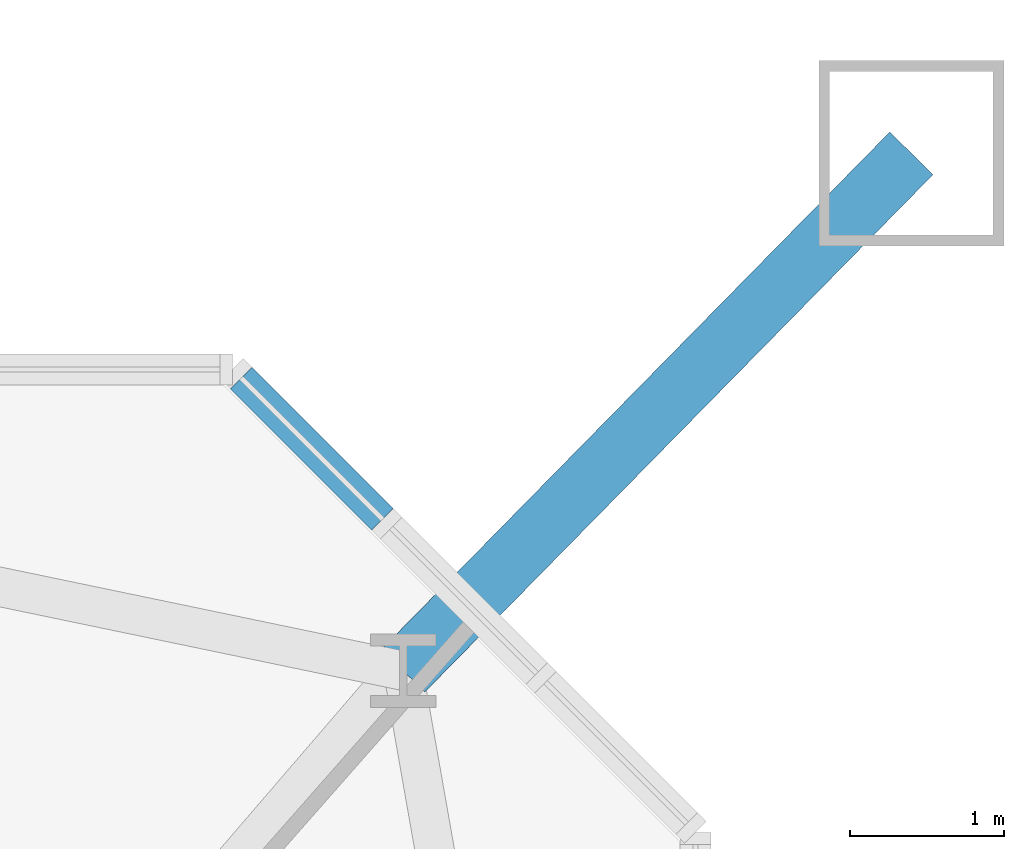
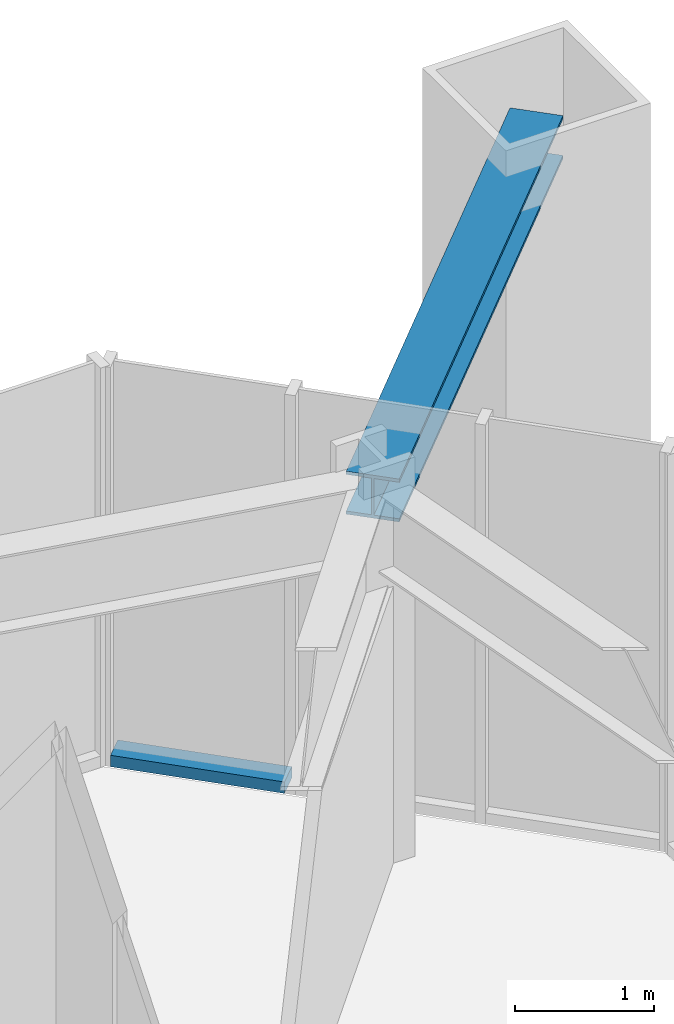
# One storey, part 11 of 26: 2 members, 1 element without a shape of its own.
"""IFC4 building model written with IfcOpenShell, lengths in metres."""

import ifcopenshell
import ifcopenshell.guid

model = None  # the IFC model being written
_history = None  # IfcOwnerHistory: only IFC2X3 demands one
_inside = {}  # id of a spatial element -> (the spatial element, [elements in it])
_under = {}  # id of a project, library or spatial element -> (it, [spatial elements below it])
_declared = {}  # id of a project -> (the project, [libraries it declares])
_typed = {}  # id of a type object -> (the type object, [elements of that type])
_made_of = {}  # id of a material, layer set ... -> (it, [elements and type objects made of it])


def new_model(schema):
    """Start an empty IFC model of exactly this schema.

    Asked for "IFC4X3", IfcOpenShell would pick the latest addendum, in which some entities
    have other attributes; the version numbers below select the first issue.
    IFC2X3 requires an IfcOwnerHistory on every rooted entity: one is made here for all.
    """
    global model, _history
    if schema == "IFC4X3":
        model = ifcopenshell.file(schema_version=(4, 3, 0, 0))
    else:
        model = ifcopenshell.file(schema=schema)
    _inside.clear()
    _under.clear()
    _declared.clear()
    _typed.clear()
    _made_of.clear()
    _history = None
    if model.schema == "IFC2X3":
        org = make("IfcOrganization", Name="unknown")
        user = make(
            "IfcPersonAndOrganization",
            ThePerson=make("IfcPerson", FamilyName="unknown"),
            TheOrganization=org,
        )
        app = make(
            "IfcApplication",
            ApplicationDeveloper=org,
            Version="unknown",
            ApplicationFullName="unknown",
            ApplicationIdentifier="unknown",
        )
        _history = make(
            "IfcOwnerHistory",
            OwningUser=user,
            OwningApplication=app,
            ChangeAction="ADDED",
            CreationDate=0,
        )
    return model


def make(cls, **values):
    """One entity of the class cls with the attributes given. An attribute that is None is left unset."""
    return model.create_entity(
        cls, **{name: value for name, value in values.items() if value is not None}
    )


def rooted(cls, **values):
    """An entity with a GlobalId (a new one), such as an element, a storey or a relation."""
    return make(cls, GlobalId=ifcopenshell.guid.new(), OwnerHistory=_history, **values)


def si_unit(unit_type, name, prefix=None):
    """IfcSIUnit, for example si_unit("LENGTHUNIT", "METRE", prefix="MILLI")."""
    return make("IfcSIUnit", UnitType=unit_type, Prefix=prefix, Name=name)


def assignment(units):
    """IfcUnitAssignment: the units of a project."""
    return None if units is None else make("IfcUnitAssignment", Units=units)


def point(xyz):
    """IfcCartesianPoint."""
    return None if xyz is None else make("IfcCartesianPoint", Coordinates=xyz)


def direction(xyz):
    """IfcDirection."""
    return None if xyz is None else make("IfcDirection", DirectionRatios=xyz)


def frame(location, z_axis=None, x_axis=None):
    """IfcAxis2Placement3D, a coordinate frame: its origin and axes. An axis left out is left unset."""
    return make(
        "IfcAxis2Placement3D",
        Location=point(location),
        Axis=direction(z_axis),
        RefDirection=direction(x_axis),
    )


def frame_2d(location, x_axis=None):
    """IfcAxis2Placement2D, a coordinate frame in the plane: its origin and x axis."""
    return make(
        "IfcAxis2Placement2D", Location=point(location), RefDirection=direction(x_axis)
    )


def origin():
    """The frame at (0, 0, 0) with its axes left unset."""
    return frame((0.0, 0.0, 0.0))


def origin_2d():
    """The frame at (0, 0) in the plane with its x axis left unset."""
    return frame_2d((0.0, 0.0))


def place(relative_to, where):
    """IfcLocalPlacement: puts the frame where relative to a parent placement (None: the world)."""
    return make(
        "IfcLocalPlacement", PlacementRelTo=relative_to, RelativePlacement=where
    )


def context(
    kind, dimensions, precision=None, world=None, true_north=None, identifier=None
):
    """IfcGeometricRepresentationContext, for example the 3D "Model" context."""
    return make(
        "IfcGeometricRepresentationContext",
        ContextIdentifier=identifier,
        ContextType=kind,
        CoordinateSpaceDimension=dimensions,
        Precision=precision,
        WorldCoordinateSystem=world,
        TrueNorth=true_north,
    )


def subcontext(parent, identifier, kind, view, scale=None):
    """IfcGeometricRepresentationSubContext, for example "Body" below "Model"."""
    return make(
        "IfcGeometricRepresentationSubContext",
        ContextIdentifier=identifier,
        ContextType=kind,
        ParentContext=parent,
        TargetScale=scale,
        TargetView=view,
    )


def project(units=None, contexts=None):
    """IfcProject with its units and contexts."""
    return rooted(
        "IfcProject",
        Name="project",
        RepresentationContexts=contexts,
        UnitsInContext=assignment(units),
    )


def spatial(cls, under=None, at=None, **own):
    """A site, building, storey or space (cls), placed at a placement, below another one or the project."""
    s = rooted(cls, ObjectPlacement=at, **own)
    if under is not None:
        _under.setdefault(under.id(), (under, []))[1].append(s)
    return s


def profile(cls, at=None, kind="AREA", **sizes):
    """A parametric profile (cls). Its sizes go by their IFC names, for example OverallWidth=200.0."""
    return make(cls, ProfileType=kind, Position=at, **sizes)


def rectangle(**sizes):
    """IfcRectangleProfileDef."""
    return profile("IfcRectangleProfileDef", **sizes)


def i_section(**sizes):
    """IfcIShapeProfileDef."""
    return profile("IfcIShapeProfileDef", **sizes)


def extrude(swept, where, along, depth):
    """IfcExtrudedAreaSolid: the profile swept, set in the frame where, extruded along a direction by depth."""
    return make(
        "IfcExtrudedAreaSolid",
        SweptArea=swept,
        Position=where,
        ExtrudedDirection=direction(along),
        Depth=depth,
    )


def shape(context_of_items, identifier, shape_type, items):
    """IfcShapeRepresentation: the items that make up one representation, for example the "Body"."""
    return make(
        "IfcShapeRepresentation",
        ContextOfItems=context_of_items,
        RepresentationIdentifier=identifier,
        RepresentationType=shape_type,
        Items=items,
    )


def material(Name=None, Category=None):
    """IfcMaterial."""
    return make("IfcMaterial", Name=Name, Category=Category)


def material_profile(
    of_material, cross_section, Name=None, Category=None, Priority=None
):
    """IfcMaterialProfile: a cross section and its material."""
    return make(
        "IfcMaterialProfile",
        Name=Name,
        Material=of_material,
        Profile=cross_section,
        Priority=Priority,
        Category=Category,
    )


def profile_set(profiles, Name=None, composite=None):
    """IfcMaterialProfileSet."""
    return make(
        "IfcMaterialProfileSet",
        Name=Name,
        MaterialProfiles=profiles,
        CompositeProfile=composite,
    )


def made_of(thing, what):
    """Note that an element or type object is made of a material, layer set ...; save() writes the relation."""
    if what is not None:
        _made_of.setdefault(what.id(), (what, []))[1].append(thing)
    return thing


def type_object(cls, material=None, **own):
    """A type object (cls), such as IfcWallType, which elements share."""
    return made_of(rooted(cls, **own), material)


def element(
    cls,
    number,
    at=None,
    inside=None,
    cuts=None,
    type_object=None,
    material=None,
    context=None,
    identifier="Body",
    shape_type=None,
    held_by="IfcProductDefinitionShape",
    body=None,
    shapes=None,
    **own,
):
    """One element of the class cls, such as IfcWall. Its Tag is "e" and its number.

    at: its placement. inside: the storey or other place that contains it. cuts: it is an
    opening in that element (IfcRelVoidsElement). A single representation is given by context,
    identifier, shape_type and body (its items); several are given by shapes. held_by: the class
    of the entity that holds the representations. save() writes the other relations.
    """
    e = rooted(cls, Tag="e%d" % number, ObjectPlacement=at, **own)
    if body is not None:
        shapes = [shape(context, identifier, shape_type, body)]
    if shapes is not None:
        e.Representation = make(held_by, Representations=shapes)
    if inside is not None:
        _inside.setdefault(inside.id(), (inside, []))[1].append(e)
    if cuts is not None:
        rooted(
            "IfcRelVoidsElement", RelatingBuildingElement=cuts, RelatedOpeningElement=e
        )
    if type_object is not None:
        _typed.setdefault(type_object.id(), (type_object, []))[1].append(e)
    return made_of(e, material)


def aggregate(whole, parts):
    """IfcRelAggregates: a whole, such as a stair, and the parts it consists of."""
    return rooted("IfcRelAggregates", RelatingObject=whole, RelatedObjects=parts)


def save(model, path):
    """Write the relations noted so far, then the file.

    IfcRelAggregates (storeys below a building ...), IfcRelContainedInSpatialStructure (elements
    in a storey), IfcRelDefinesByType, IfcRelAssociatesMaterial and IfcRelDeclares: one each for
    every whole, place, type object, material and project.
    """
    for whole, parts in _under.values():
        aggregate(whole, parts)
    for where, things in _inside.values():
        rooted(
            "IfcRelContainedInSpatialStructure",
            RelatedElements=things,
            RelatingStructure=where,
        )
    for kind, things in _typed.values():
        rooted("IfcRelDefinesByType", RelatedObjects=things, RelatingType=kind)
    for what, things in _made_of.values():
        rooted("IfcRelAssociatesMaterial", RelatedObjects=things, RelatingMaterial=what)
    for by, libraries in _declared.values():
        rooted("IfcRelDeclares", RelatingContext=by, RelatedDefinitions=libraries)
    model.write(path)


model = new_model("IFC4")

# Units and contexts
model_context = context("Model", 3, precision=1e-05, world=origin(), true_north=direction((0.0, 1.0)))
body_context = subcontext(model_context, "Body", "Model", "MODEL_VIEW")
ifc_project = project(units=[si_unit("LENGTHUNIT", "METRE"), si_unit("AREAUNIT", "SQUARE_METRE"), si_unit("VOLUMEUNIT", "CUBIC_METRE"), si_unit("PLANEANGLEUNIT", "RADIAN"), si_unit("MASSUNIT", "GRAM", prefix="KILO")], contexts=[model_context])

# Site, building, storey
site_placement = place(None, origin())
site = spatial("IfcSite", under=ifc_project, at=site_placement, CompositionType="ELEMENT")
building_placement = place(site_placement, origin())
building = spatial("IfcBuilding", under=site, at=building_placement, Name="Iwan Alto Co-Living Towers", CompositionType="ELEMENT")
storey_placement = place(building_placement, frame((0.0, 0.0, 50.0)))
storey = spatial("IfcBuildingStorey", under=building, at=storey_placement, Name="L13", CompositionType="ELEMENT", Elevation=50.0)

# Curtain wall, member
ifc_material_1 = material(Name="Bronze aluminium unitised frame", Category="aluminium")
curtain_wall_type = type_object("IfcCurtainWallType", Name="CURTAIN WALL CW-D", PredefinedType="NOTDEFINED", material=ifc_material_1)
curtain_wall_placement = place(storey_placement, origin())
curtain_wall = element("IfcCurtainWall", 1, at=curtain_wall_placement, inside=storey, type_object=curtain_wall_type, Name="T2 chamfer curtain wall NE L13", PredefinedType="NOTDEFINED")
ifc_material_2 = material(Name="Aluminium 6063-T6 bronze anodised", Category="aluminium")
ifc_material_profile_1 = material_profile(ifc_material_2, rectangle(XDim=0.199951171875, YDim=0.10009765625, at=origin_2d()), Name="AL 200X100")
ifc_profile_set_1 = profile_set([ifc_material_profile_1], Name="Aluminium 6063-T6 bronze anodised")
member_type_1 = type_object("IfcMemberType", Name="CW-D TRANSOM 200X100", PredefinedType="USERDEFINED", material=ifc_profile_set_1)
member_1_placement = place(storey_placement, frame((77.4716796875, 17.7783203125, 0.050048828125), z_axis=(-0.707106781187, 0.707106781187, 0.0), x_axis=(-0.707106781187, -0.707106781187, 0.0)))
member_1 = element("IfcMember", 2, at=member_1_placement, type_object=member_type_1, Name="CW-D transom 3.1", ObjectType="TRANSOM", PredefinedType="USERDEFINED", context=body_context, shape_type="SweptSolid", body=[
    extrude(rectangle(XDim=0.199951171875, YDim=0.10009765625, at=origin_2d()), origin(), (0.0, 0.0, 1.0), 1.2939453125),
])
aggregate(curtain_wall, [member_1])

# Member
ifc_material_3 = material(Name="Steel ASTM A992 Gr 50", Category="steel")
ifc_material_profile_2 = material_profile(ifc_material_3, i_section(OverallWidth=0.393798828125, OverallDepth=0.3759765625, WebThickness=0.017333984375, FlangeThickness=0.027587890625, at=origin_2d()), Name="W14X145")
ifc_profile_set_2 = profile_set([ifc_material_profile_2], Name="Steel ASTM A992 Gr 50")
member_type_2 = type_object("IfcMemberType", Name="T2 MEGA COLUMN FLOOR TIE W14X145", PredefinedType="STRUT", material=ifc_profile_set_2)
member_2_placement = place(storey_placement, frame((80.89990234375, 20.14990234375, 3.08203125), z_axis=(-0.700793469544, -0.71336422187, 0.0), x_axis=(0.71336422187, -0.700793469544, 0.0)))
element("IfcMember", 3, at=member_2_placement, inside=storey, type_object=member_type_2, Name="T2 mega column floor tie NE L14", PredefinedType="STRUT", context=body_context, shape_type="SweptSolid", body=[
    extrude(i_section(OverallWidth=0.393798828125, OverallDepth=0.3759765625, WebThickness=0.017333984375, FlangeThickness=0.027587890625, at=origin_2d()), origin(), (0.0, 0.0, 1.0), 4.699951171875),
])

save(model, "model.ifc")
